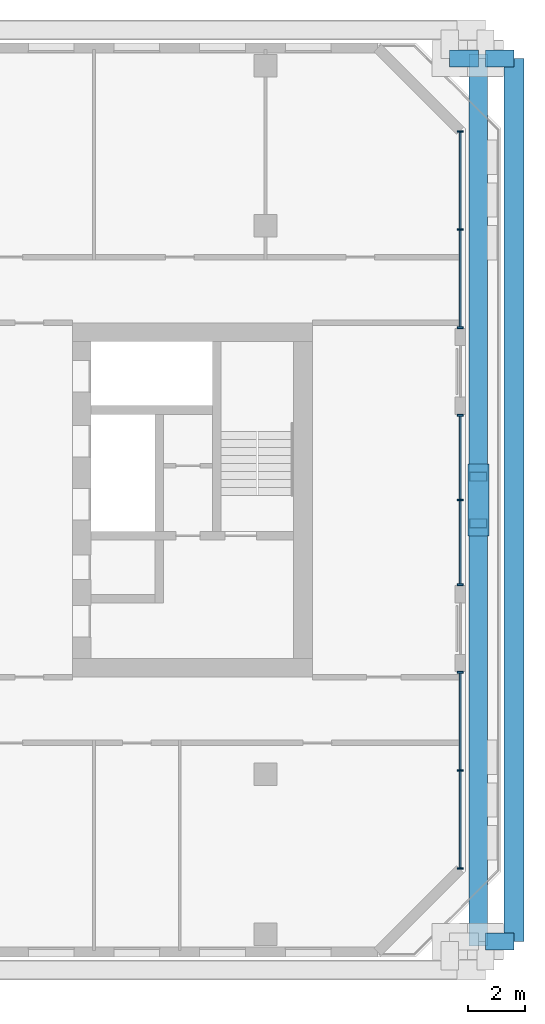
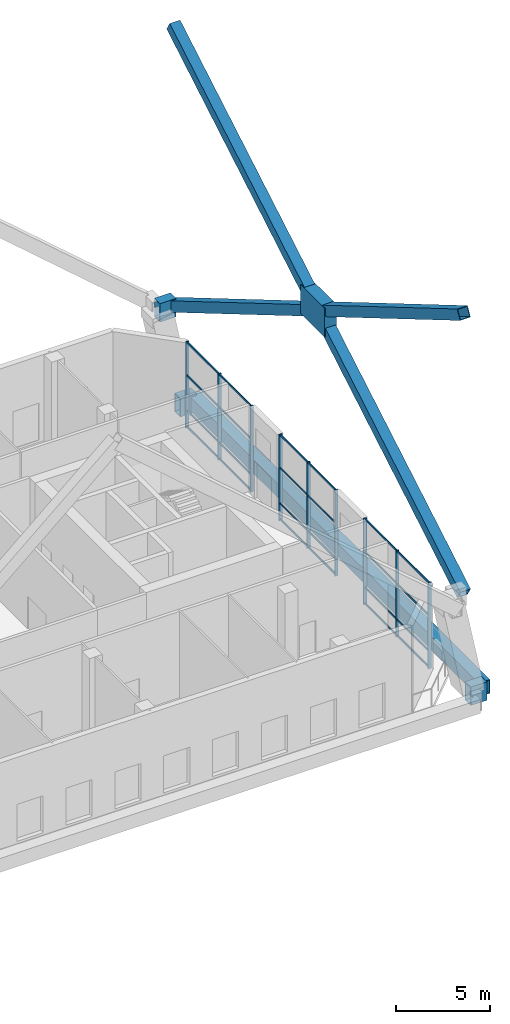
# One storey, part 6 of 20: 38 members, 4 beams, 3 elements without a shape of their own.
"""IFC4 building model written with IfcOpenShell, lengths in metres."""

from ifc_helpers import new_model, si_unit, direction, frame, origin, origin_2d, place, context, subcontext, project, spatial, rectangle, hollow_rectangle, extrude, material, material_profile, profile_set, type_object, element, aggregate, save


model = new_model("IFC4")

# Units and contexts
model_context = context("Model", 3, precision=1e-05, world=origin(), true_north=direction((0.0, 1.0)))
body_context = subcontext(model_context, "Body", "Model", "MODEL_VIEW")
ifc_project = project(units=[si_unit("LENGTHUNIT", "METRE"), si_unit("AREAUNIT", "SQUARE_METRE"), si_unit("VOLUMEUNIT", "CUBIC_METRE"), si_unit("PLANEANGLEUNIT", "RADIAN"), si_unit("MASSUNIT", "GRAM", prefix="KILO")], contexts=[model_context])

# Site, building, storey
site_placement = place(None, origin())
site = spatial("IfcSite", under=ifc_project, at=site_placement, CompositionType="ELEMENT")
building_placement = place(site_placement, origin())
building = spatial("IfcBuilding", under=site, at=building_placement, Name="Tuart Gate Housing", CompositionType="ELEMENT")
storey_placement = place(building_placement, frame((0.0, 0.0, 90.199951171875)))
storey = spatial("IfcBuildingStorey", under=building, at=storey_placement, Name="L25", CompositionType="ELEMENT", Elevation=90.199951171875)

# Member
ifc_material_1 = material(Name="Steel Grade 350", Category="steel")
ifc_material_profile_1 = material_profile(ifc_material_1, rectangle(XDim=2.537109375, YDim=1.864013671875, at=origin_2d()), Name="Brace node plate 2537 x 1864")
ifc_profile_set_1 = profile_set([ifc_material_profile_1], Name="Steel Grade 350")
member_type_1 = type_object("IfcMemberType", Name="Brace node plate 2537 x 1864", PredefinedType="PLATE", material=ifc_profile_set_1)
member_1_placement = place(storey_placement, frame((174.08203125, 70.0, 15.300048828125), z_axis=(1.0, 0.0, 0.0), x_axis=(0.0, 1.0, 0.0)))
element("IfcMember", 1, at=member_1_placement, inside=storey, type_object=member_type_1, Name="Brace node B zone 4 east", PredefinedType="PLATE", context=body_context, shape_type="SweptSolid", body=[
    extrude(rectangle(XDim=2.537109375, YDim=1.864013671875, at=origin_2d()), origin(), (0.0, 0.0, 1.0), 0.736083984375),
])

# Beams
ifc_material_2 = material(Name="Steel Grade 350", Category="steel")
ifc_material_profile_2 = material_profile(ifc_material_2, hollow_rectangle(XDim=0.60009765625, YDim=1.199951171875, WallThickness=0.0400390625, at=origin_2d()), Name="BOX 1200x600x40")
ifc_profile_set_2 = profile_set([ifc_material_profile_2], Name="Steel Grade 350")
beam_type_1 = type_object("IfcBeamType", Name="Brace shoe BOX 1200x600x40", PredefinedType="BEAM", material=ifc_profile_set_2)
for number, where, z_axis, x_axis, name in (
    (2, (174.699951171875, 54.550048828125, -0.39990234375), (1.0, 0.0, 0.0), (0.0, 1.0, 0.0), "Mega tie beam B node 3 east shoe 0 L25"),
    (3, (174.699951171875, 85.449951171875, -0.39990234375), (1.0, 0.0, 0.0), (0.0, 1.0, 0.0), "Mega tie beam B node 3 east shoe 1 L25"),
    (4, (173.449951171875, 85.449951171875, 6.199951171875), (1.0, 0.0, 0.0), (0.0, 1.0, 0.0), "Mega brace shoe B zone 4 east cross 2"),
):
    element("IfcBeam", number, at=place(storey_placement, frame(where, z_axis=z_axis, x_axis=x_axis)), inside=storey, type_object=beam_type_1, Name=name, PredefinedType="BEAM", context=body_context, shape_type="SweptSolid", body=[
        extrude(hollow_rectangle(XDim=0.60009765625, YDim=1.199951171875, WallThickness=0.0400390625, at=origin_2d()), origin(), (0.0, 0.0, 1.0), 1.0),
    ])

# Members
ifc_material_3 = material(Name="Steel Grade 350", Category="steel")
ifc_material_profile_3 = material_profile(ifc_material_3, hollow_rectangle(XDim=0.639892578125, YDim=0.639892578125, WallThickness=0.031982421875, at=origin_2d()), Name="BOX 640x640x32")
ifc_profile_set_3 = profile_set([ifc_material_profile_3], Name="Steel Grade 350")
member_type_2 = type_object("IfcMemberType", Name="Mega brace BOX 640x640x32", PredefinedType="BRACE", material=ifc_profile_set_3)
for number, where, z_axis, x_axis, name in (
    (5, (174.449951171875, 54.550048828125, 6.199951171875), (0.0, 0.861644676374, 0.507512021214), (-1.0, 0.0, 0.0), "Mega brace B zone 4 east cross 1 a"),
    (6, (174.449951171875, 70.818603515625, 15.7822265625), (0.0, 0.861644676374, 0.507512021214), (-1.0, 0.0, 0.0), "Mega brace B zone 4 east cross 1 b"),
    (7, (174.449951171875, 85.449951171875, 6.199951171875), (0.0, -0.861644676374, 0.507512021214), (1.0, 0.0, 0.0), "Mega brace B zone 4 east cross 2 a"),
    (8, (174.449951171875, 69.181396484375, 15.7822265625), (0.0, -0.861644676374, 0.507512021214), (1.0, 0.0, 0.0), "Mega brace B zone 4 east cross 2 b"),
):
    element("IfcMember", number, at=place(storey_placement, frame(where, z_axis=z_axis, x_axis=x_axis)), inside=storey, type_object=member_type_2, Name=name, PredefinedType="BRACE", context=body_context, shape_type="SweptSolid", body=[
        extrude(hollow_rectangle(XDim=0.639892578125, YDim=0.639892578125, WallThickness=0.031982421875, at=origin_2d()), origin(), (0.0, 0.0, 1.0), 16.980712890625),
    ])

# Curtain wall, members
ifc_material_4 = material(Name="Aluminium and clear glass", Category="aluminium")
curtain_wall_type = type_object("IfcCurtainWallType", Name="Sky garden front glazing", PredefinedType="USERDEFINED", material=ifc_material_4)
curtain_wall_1_placement = place(storey_placement, origin())
curtain_wall_1 = element("IfcCurtainWall", 9, at=curtain_wall_1_placement, inside=storey, type_object=curtain_wall_type, Name="Sky garden front glazing B-E L25", ObjectType="SKY GARDEN FRONT GLAZING", PredefinedType="USERDEFINED")
ifc_material_5 = material(Name="Anodised aluminium", Category="aluminium")
ifc_material_profile_4 = material_profile(ifc_material_5, rectangle(XDim=0.06005859375, YDim=0.199951171875, at=origin_2d()), Name="60x200")
ifc_profile_set_4 = profile_set([ifc_material_profile_4], Name="Anodised aluminium")
member_type_3 = type_object("IfcMemberType", Name="Mullion 60 x 200", PredefinedType="MULLION", material=ifc_profile_set_4)
member_2_placement = place(storey_placement, frame((173.820068359375, 57.1044921875, 0.0), z_axis=(0.0, 0.0, 1.0), x_axis=(0.0, 1.0, 0.0)))
member_2 = element("IfcMember", 10, at=member_2_placement, type_object=member_type_3, Name="CW4 mullion 1", PredefinedType="MULLION", context=body_context, shape_type="SweptSolid", body=[
    extrude(rectangle(XDim=0.06005859375, YDim=0.199951171875, at=origin_2d()), origin(), (0.0, 0.0, 1.0), 5.60009765625),
])
member_3_placement = place(storey_placement, frame((173.820068359375, 60.537353515625, 0.0), z_axis=(0.0, 0.0, 1.0), x_axis=(0.0, 1.0, 0.0)))
member_3 = element("IfcMember", 11, at=member_3_placement, type_object=member_type_3, Name="CW4 mullion 2", PredefinedType="MULLION", context=body_context, shape_type="SweptSolid", body=[
    extrude(rectangle(XDim=0.06005859375, YDim=0.199951171875, at=origin_2d()), origin(), (0.0, 0.0, 1.0), 5.60009765625),
])
member_4_placement = place(storey_placement, frame((173.820068359375, 63.969970703125, 0.0), z_axis=(0.0, 0.0, 1.0), x_axis=(0.0, 1.0, 0.0)))
member_4 = element("IfcMember", 12, at=member_4_placement, type_object=member_type_3, Name="CW4 mullion 3", PredefinedType="MULLION", context=body_context, shape_type="SweptSolid", body=[
    extrude(rectangle(XDim=0.06005859375, YDim=0.199951171875, at=origin_2d()), origin(), (0.0, 0.0, 1.0), 5.60009765625),
])

curtain_wall_2_placement = place(storey_placement, origin())
curtain_wall_2 = element("IfcCurtainWall", 13, at=curtain_wall_2_placement, inside=storey, type_object=curtain_wall_type, Name="Sky garden front glazing B-E L25", ObjectType="SKY GARDEN FRONT GLAZING", PredefinedType="USERDEFINED")
member_5_placement = place(storey_placement, frame((173.820068359375, 67.030029296875, 0.0), z_axis=(0.0, 0.0, 1.0), x_axis=(0.0, 1.0, 0.0)))
member_5 = element("IfcMember", 14, at=member_5_placement, type_object=member_type_3, Name="CW4 mullion 1", PredefinedType="MULLION", context=body_context, shape_type="SweptSolid", body=[
    extrude(rectangle(XDim=0.06005859375, YDim=0.199951171875, at=origin_2d()), origin(), (0.0, 0.0, 1.0), 5.60009765625),
])
member_6_placement = place(storey_placement, frame((173.820068359375, 70.0, 0.0), z_axis=(0.0, 0.0, 1.0), x_axis=(0.0, 1.0, 0.0)))
member_6 = element("IfcMember", 15, at=member_6_placement, type_object=member_type_3, Name="CW4 mullion 2", PredefinedType="MULLION", context=body_context, shape_type="SweptSolid", body=[
    extrude(rectangle(XDim=0.06005859375, YDim=0.199951171875, at=origin_2d()), origin(), (0.0, 0.0, 1.0), 5.60009765625),
])
member_7_placement = place(storey_placement, frame((173.820068359375, 72.969970703125, 0.0), z_axis=(0.0, 0.0, 1.0), x_axis=(0.0, 1.0, 0.0)))
member_7 = element("IfcMember", 16, at=member_7_placement, type_object=member_type_3, Name="CW4 mullion 3", PredefinedType="MULLION", context=body_context, shape_type="SweptSolid", body=[
    extrude(rectangle(XDim=0.06005859375, YDim=0.199951171875, at=origin_2d()), origin(), (0.0, 0.0, 1.0), 5.60009765625),
])

curtain_wall_3_placement = place(storey_placement, origin())
curtain_wall_3 = element("IfcCurtainWall", 17, at=curtain_wall_3_placement, inside=storey, type_object=curtain_wall_type, Name="Sky garden front glazing B-E L25", ObjectType="SKY GARDEN FRONT GLAZING", PredefinedType="USERDEFINED")
member_8_placement = place(storey_placement, frame((173.820068359375, 76.030029296875, 0.0), z_axis=(0.0, 0.0, 1.0), x_axis=(0.0, 1.0, 0.0)))
member_8 = element("IfcMember", 18, at=member_8_placement, type_object=member_type_3, Name="CW4 mullion 1", PredefinedType="MULLION", context=body_context, shape_type="SweptSolid", body=[
    extrude(rectangle(XDim=0.06005859375, YDim=0.199951171875, at=origin_2d()), origin(), (0.0, 0.0, 1.0), 5.60009765625),
])
member_9_placement = place(storey_placement, frame((173.820068359375, 79.462646484375, 0.0), z_axis=(0.0, 0.0, 1.0), x_axis=(0.0, 1.0, 0.0)))
member_9 = element("IfcMember", 19, at=member_9_placement, type_object=member_type_3, Name="CW4 mullion 2", PredefinedType="MULLION", context=body_context, shape_type="SweptSolid", body=[
    extrude(rectangle(XDim=0.06005859375, YDim=0.199951171875, at=origin_2d()), origin(), (0.0, 0.0, 1.0), 5.60009765625),
])
member_10_placement = place(storey_placement, frame((173.820068359375, 82.8955078125, 0.0), z_axis=(0.0, 0.0, 1.0), x_axis=(0.0, 1.0, 0.0)))
member_10 = element("IfcMember", 20, at=member_10_placement, type_object=member_type_3, Name="CW4 mullion 3", PredefinedType="MULLION", context=body_context, shape_type="SweptSolid", body=[
    extrude(rectangle(XDim=0.06005859375, YDim=0.199951171875, at=origin_2d()), origin(), (0.0, 0.0, 1.0), 5.60009765625),
])

# Beam
ifc_material_6 = material(Name="Steel Grade 350", Category="steel")
ifc_material_profile_5 = material_profile(ifc_material_6, hollow_rectangle(XDim=0.699951171875, YDim=0.89990234375, WallThickness=0.0400390625, at=origin_2d()), Name="BOX 900x700x40")
ifc_profile_set_5 = profile_set([ifc_material_profile_5], Name="Steel Grade 350")
beam_type_2 = type_object("IfcBeamType", Name="Tie beam BOX 900x700x40", PredefinedType="BEAM", material=ifc_profile_set_5)
beam_placement = place(storey_placement, frame((175.699951171875, 54.550048828125, -0.39990234375), z_axis=(0.0, 1.0, 0.0), x_axis=(-1.0, 0.0, 0.0)))
element("IfcBeam", 21, at=beam_placement, inside=storey, type_object=beam_type_2, Name="Mega tie beam B node 3 east L25", PredefinedType="BEAM", context=body_context, shape_type="SweptSolid", body=[
    extrude(hollow_rectangle(XDim=0.699951171875, YDim=0.89990234375, WallThickness=0.0400390625, at=origin_2d()), origin(), (0.0, 0.0, 1.0), 30.89990234375),
])

# Member
ifc_material_7 = material(Name="Anodised aluminium", Category="aluminium")
ifc_material_profile_6 = material_profile(ifc_material_7, rectangle(XDim=0.06005859375, YDim=0.1201171875, at=origin_2d()), Name="60x120")
ifc_profile_set_6 = profile_set([ifc_material_profile_6], Name="Anodised aluminium")
member_type_4 = type_object("IfcMemberType", Name="Transom 60 x 120", PredefinedType="USERDEFINED", material=ifc_profile_set_6)
member_11_placement = place(storey_placement, frame((173.820068359375, 57.134521484375, 0.06005859375), z_axis=(0.0, 1.0, 0.0), x_axis=(-1.0, 0.0, 0.0)))
member_11 = element("IfcMember", 22, at=member_11_placement, type_object=member_type_4, Name="CW4 transom 1.1", ObjectType="TRANSOM", PredefinedType="USERDEFINED", context=body_context, shape_type="SweptSolid", body=[
    extrude(rectangle(XDim=0.06005859375, YDim=0.1201171875, at=origin_2d()), origin(), (0.0, 0.0, 1.0), 3.372802734375),
])

member_12_placement = place(storey_placement, frame((173.820068359375, 57.134521484375, 1.10009765625), z_axis=(0.0, 1.0, 0.0), x_axis=(-1.0, 0.0, 0.0)))
member_12 = element("IfcMember", 23, at=member_12_placement, type_object=member_type_4, Name="CW4 transom 1.2", ObjectType="TRANSOM", PredefinedType="USERDEFINED", context=body_context, shape_type="SweptSolid", body=[
    extrude(rectangle(XDim=0.06005859375, YDim=0.1201171875, at=origin_2d()), origin(), (0.0, 0.0, 1.0), 3.372802734375),
])

member_13_placement = place(storey_placement, frame((173.820068359375, 57.134521484375, 3.400146484375), z_axis=(0.0, 1.0, 0.0), x_axis=(-1.0, 0.0, 0.0)))
member_13 = element("IfcMember", 24, at=member_13_placement, type_object=member_type_4, Name="CW4 transom 1.3", ObjectType="TRANSOM", PredefinedType="USERDEFINED", context=body_context, shape_type="SweptSolid", body=[
    extrude(rectangle(XDim=0.06005859375, YDim=0.1201171875, at=origin_2d()), origin(), (0.0, 0.0, 1.0), 3.372802734375),
])

member_14_placement = place(storey_placement, frame((173.820068359375, 57.134521484375, 5.5400390625), z_axis=(0.0, 1.0, 0.0), x_axis=(-1.0, 0.0, 0.0)))
member_14 = element("IfcMember", 25, at=member_14_placement, type_object=member_type_4, Name="CW4 transom 1.4", ObjectType="TRANSOM", PredefinedType="USERDEFINED", context=body_context, shape_type="SweptSolid", body=[
    extrude(rectangle(XDim=0.06005859375, YDim=0.1201171875, at=origin_2d()), origin(), (0.0, 0.0, 1.0), 3.372802734375),
])

member_15_placement = place(storey_placement, frame((173.820068359375, 60.5673828125, 0.06005859375), z_axis=(0.0, 1.0, 0.0), x_axis=(-1.0, 0.0, 0.0)))
member_15 = element("IfcMember", 26, at=member_15_placement, type_object=member_type_4, Name="CW4 transom 2.1", ObjectType="TRANSOM", PredefinedType="USERDEFINED", context=body_context, shape_type="SweptSolid", body=[
    extrude(rectangle(XDim=0.06005859375, YDim=0.1201171875, at=origin_2d()), origin(), (0.0, 0.0, 1.0), 3.37255859375),
])

member_16_placement = place(storey_placement, frame((173.820068359375, 60.5673828125, 1.10009765625), z_axis=(0.0, 1.0, 0.0), x_axis=(-1.0, 0.0, 0.0)))
member_16 = element("IfcMember", 27, at=member_16_placement, type_object=member_type_4, Name="CW4 transom 2.2", ObjectType="TRANSOM", PredefinedType="USERDEFINED", context=body_context, shape_type="SweptSolid", body=[
    extrude(rectangle(XDim=0.06005859375, YDim=0.1201171875, at=origin_2d()), origin(), (0.0, 0.0, 1.0), 3.37255859375),
])

member_17_placement = place(storey_placement, frame((173.820068359375, 60.5673828125, 3.400146484375), z_axis=(0.0, 1.0, 0.0), x_axis=(-1.0, 0.0, 0.0)))
member_17 = element("IfcMember", 28, at=member_17_placement, type_object=member_type_4, Name="CW4 transom 2.3", ObjectType="TRANSOM", PredefinedType="USERDEFINED", context=body_context, shape_type="SweptSolid", body=[
    extrude(rectangle(XDim=0.06005859375, YDim=0.1201171875, at=origin_2d()), origin(), (0.0, 0.0, 1.0), 3.37255859375),
])

member_18_placement = place(storey_placement, frame((173.820068359375, 60.5673828125, 5.5400390625), z_axis=(0.0, 1.0, 0.0), x_axis=(-1.0, 0.0, 0.0)))
member_18 = element("IfcMember", 29, at=member_18_placement, type_object=member_type_4, Name="CW4 transom 2.4", ObjectType="TRANSOM", PredefinedType="USERDEFINED", context=body_context, shape_type="SweptSolid", body=[
    extrude(rectangle(XDim=0.06005859375, YDim=0.1201171875, at=origin_2d()), origin(), (0.0, 0.0, 1.0), 3.37255859375),
])

aggregate(curtain_wall_1, [member_2, member_3, member_4, member_11, member_12, member_13, member_14, member_15, member_16, member_17, member_18])

member_19_placement = place(storey_placement, frame((173.820068359375, 67.06005859375, 0.06005859375), z_axis=(0.0, 1.0, 0.0), x_axis=(-1.0, 0.0, 0.0)))
member_19 = element("IfcMember", 30, at=member_19_placement, type_object=member_type_4, Name="CW4 transom 1.1", ObjectType="TRANSOM", PredefinedType="USERDEFINED", context=body_context, shape_type="SweptSolid", body=[
    extrude(rectangle(XDim=0.06005859375, YDim=0.1201171875, at=origin_2d()), origin(), (0.0, 0.0, 1.0), 2.909912109375),
])

member_20_placement = place(storey_placement, frame((173.820068359375, 67.06005859375, 1.10009765625), z_axis=(0.0, 1.0, 0.0), x_axis=(-1.0, 0.0, 0.0)))
member_20 = element("IfcMember", 31, at=member_20_placement, type_object=member_type_4, Name="CW4 transom 1.2", ObjectType="TRANSOM", PredefinedType="USERDEFINED", context=body_context, shape_type="SweptSolid", body=[
    extrude(rectangle(XDim=0.06005859375, YDim=0.1201171875, at=origin_2d()), origin(), (0.0, 0.0, 1.0), 2.909912109375),
])

member_21_placement = place(storey_placement, frame((173.820068359375, 67.06005859375, 3.400146484375), z_axis=(0.0, 1.0, 0.0), x_axis=(-1.0, 0.0, 0.0)))
member_21 = element("IfcMember", 32, at=member_21_placement, type_object=member_type_4, Name="CW4 transom 1.3", ObjectType="TRANSOM", PredefinedType="USERDEFINED", context=body_context, shape_type="SweptSolid", body=[
    extrude(rectangle(XDim=0.06005859375, YDim=0.1201171875, at=origin_2d()), origin(), (0.0, 0.0, 1.0), 2.909912109375),
])

member_22_placement = place(storey_placement, frame((173.820068359375, 67.06005859375, 5.5400390625), z_axis=(0.0, 1.0, 0.0), x_axis=(-1.0, 0.0, 0.0)))
member_22 = element("IfcMember", 33, at=member_22_placement, type_object=member_type_4, Name="CW4 transom 1.4", ObjectType="TRANSOM", PredefinedType="USERDEFINED", context=body_context, shape_type="SweptSolid", body=[
    extrude(rectangle(XDim=0.06005859375, YDim=0.1201171875, at=origin_2d()), origin(), (0.0, 0.0, 1.0), 2.909912109375),
])

member_23_placement = place(storey_placement, frame((173.820068359375, 70.030029296875, 0.06005859375), z_axis=(0.0, 1.0, 0.0), x_axis=(-1.0, 0.0, 0.0)))
member_23 = element("IfcMember", 34, at=member_23_placement, type_object=member_type_4, Name="CW4 transom 2.1", ObjectType="TRANSOM", PredefinedType="USERDEFINED", context=body_context, shape_type="SweptSolid", body=[
    extrude(rectangle(XDim=0.06005859375, YDim=0.1201171875, at=origin_2d()), origin(), (0.0, 0.0, 1.0), 2.909912109375),
])

member_24_placement = place(storey_placement, frame((173.820068359375, 70.030029296875, 1.10009765625), z_axis=(0.0, 1.0, 0.0), x_axis=(-1.0, 0.0, 0.0)))
member_24 = element("IfcMember", 35, at=member_24_placement, type_object=member_type_4, Name="CW4 transom 2.2", ObjectType="TRANSOM", PredefinedType="USERDEFINED", context=body_context, shape_type="SweptSolid", body=[
    extrude(rectangle(XDim=0.06005859375, YDim=0.1201171875, at=origin_2d()), origin(), (0.0, 0.0, 1.0), 2.909912109375),
])

member_25_placement = place(storey_placement, frame((173.820068359375, 70.030029296875, 3.400146484375), z_axis=(0.0, 1.0, 0.0), x_axis=(-1.0, 0.0, 0.0)))
member_25 = element("IfcMember", 36, at=member_25_placement, type_object=member_type_4, Name="CW4 transom 2.3", ObjectType="TRANSOM", PredefinedType="USERDEFINED", context=body_context, shape_type="SweptSolid", body=[
    extrude(rectangle(XDim=0.06005859375, YDim=0.1201171875, at=origin_2d()), origin(), (0.0, 0.0, 1.0), 2.909912109375),
])

member_26_placement = place(storey_placement, frame((173.820068359375, 70.030029296875, 5.5400390625), z_axis=(0.0, 1.0, 0.0), x_axis=(-1.0, 0.0, 0.0)))
member_26 = element("IfcMember", 37, at=member_26_placement, type_object=member_type_4, Name="CW4 transom 2.4", ObjectType="TRANSOM", PredefinedType="USERDEFINED", context=body_context, shape_type="SweptSolid", body=[
    extrude(rectangle(XDim=0.06005859375, YDim=0.1201171875, at=origin_2d()), origin(), (0.0, 0.0, 1.0), 2.909912109375),
])

aggregate(curtain_wall_2, [member_5, member_6, member_7, member_19, member_20, member_21, member_22, member_23, member_24, member_25, member_26])

member_27_placement = place(storey_placement, frame((173.820068359375, 76.06005859375, 0.06005859375), z_axis=(0.0, 1.0, 0.0), x_axis=(-1.0, 0.0, 0.0)))
member_27 = element("IfcMember", 38, at=member_27_placement, type_object=member_type_4, Name="CW4 transom 1.1", ObjectType="TRANSOM", PredefinedType="USERDEFINED", context=body_context, shape_type="SweptSolid", body=[
    extrude(rectangle(XDim=0.06005859375, YDim=0.1201171875, at=origin_2d()), origin(), (0.0, 0.0, 1.0), 3.372802734375),
])

member_28_placement = place(storey_placement, frame((173.820068359375, 76.06005859375, 1.10009765625), z_axis=(0.0, 1.0, 0.0), x_axis=(-1.0, 0.0, 0.0)))
member_28 = element("IfcMember", 39, at=member_28_placement, type_object=member_type_4, Name="CW4 transom 1.2", ObjectType="TRANSOM", PredefinedType="USERDEFINED", context=body_context, shape_type="SweptSolid", body=[
    extrude(rectangle(XDim=0.06005859375, YDim=0.1201171875, at=origin_2d()), origin(), (0.0, 0.0, 1.0), 3.372802734375),
])

member_29_placement = place(storey_placement, frame((173.820068359375, 76.06005859375, 3.400146484375), z_axis=(0.0, 1.0, 0.0), x_axis=(-1.0, 0.0, 0.0)))
member_29 = element("IfcMember", 40, at=member_29_placement, type_object=member_type_4, Name="CW4 transom 1.3", ObjectType="TRANSOM", PredefinedType="USERDEFINED", context=body_context, shape_type="SweptSolid", body=[
    extrude(rectangle(XDim=0.06005859375, YDim=0.1201171875, at=origin_2d()), origin(), (0.0, 0.0, 1.0), 3.372802734375),
])

member_30_placement = place(storey_placement, frame((173.820068359375, 76.06005859375, 5.5400390625), z_axis=(0.0, 1.0, 0.0), x_axis=(-1.0, 0.0, 0.0)))
member_30 = element("IfcMember", 41, at=member_30_placement, type_object=member_type_4, Name="CW4 transom 1.4", ObjectType="TRANSOM", PredefinedType="USERDEFINED", context=body_context, shape_type="SweptSolid", body=[
    extrude(rectangle(XDim=0.06005859375, YDim=0.1201171875, at=origin_2d()), origin(), (0.0, 0.0, 1.0), 3.372802734375),
])

member_31_placement = place(storey_placement, frame((173.820068359375, 79.49267578125, 0.06005859375), z_axis=(0.0, 1.0, 0.0), x_axis=(-1.0, 0.0, 0.0)))
member_31 = element("IfcMember", 42, at=member_31_placement, type_object=member_type_4, Name="CW4 transom 2.1", ObjectType="TRANSOM", PredefinedType="USERDEFINED", context=body_context, shape_type="SweptSolid", body=[
    extrude(rectangle(XDim=0.06005859375, YDim=0.1201171875, at=origin_2d()), origin(), (0.0, 0.0, 1.0), 3.372802734375),
])

member_32_placement = place(storey_placement, frame((173.820068359375, 79.49267578125, 1.10009765625), z_axis=(0.0, 1.0, 0.0), x_axis=(-1.0, 0.0, 0.0)))
member_32 = element("IfcMember", 43, at=member_32_placement, type_object=member_type_4, Name="CW4 transom 2.2", ObjectType="TRANSOM", PredefinedType="USERDEFINED", context=body_context, shape_type="SweptSolid", body=[
    extrude(rectangle(XDim=0.06005859375, YDim=0.1201171875, at=origin_2d()), origin(), (0.0, 0.0, 1.0), 3.372802734375),
])

member_33_placement = place(storey_placement, frame((173.820068359375, 79.49267578125, 3.400146484375), z_axis=(0.0, 1.0, 0.0), x_axis=(-1.0, 0.0, 0.0)))
member_33 = element("IfcMember", 44, at=member_33_placement, type_object=member_type_4, Name="CW4 transom 2.3", ObjectType="TRANSOM", PredefinedType="USERDEFINED", context=body_context, shape_type="SweptSolid", body=[
    extrude(rectangle(XDim=0.06005859375, YDim=0.1201171875, at=origin_2d()), origin(), (0.0, 0.0, 1.0), 3.372802734375),
])

member_34_placement = place(storey_placement, frame((173.820068359375, 79.49267578125, 5.5400390625), z_axis=(0.0, 1.0, 0.0), x_axis=(-1.0, 0.0, 0.0)))
member_34 = element("IfcMember", 45, at=member_34_placement, type_object=member_type_4, Name="CW4 transom 2.4", ObjectType="TRANSOM", PredefinedType="USERDEFINED", context=body_context, shape_type="SweptSolid", body=[
    extrude(rectangle(XDim=0.06005859375, YDim=0.1201171875, at=origin_2d()), origin(), (0.0, 0.0, 1.0), 3.372802734375),
])

aggregate(curtain_wall_3, [member_8, member_9, member_10, member_27, member_28, member_29, member_30, member_31, member_32, member_33, member_34])

save(model, "model.ifc")
